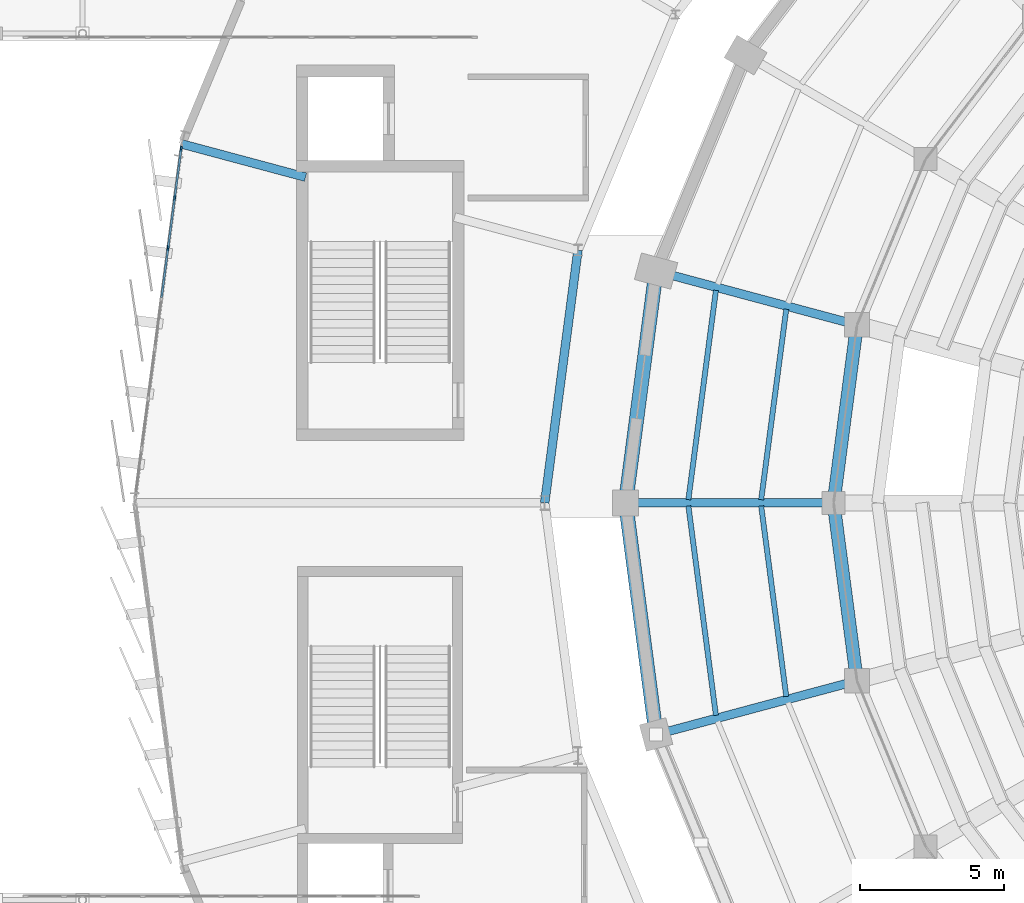
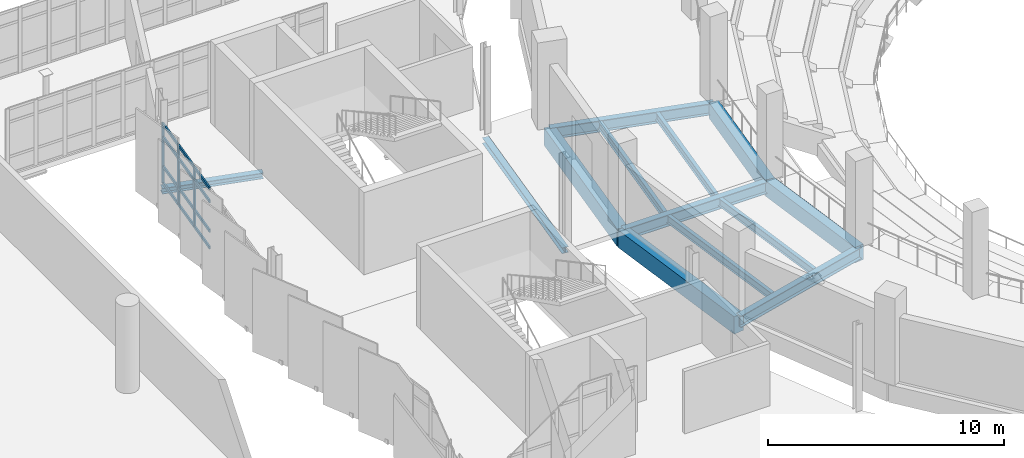
# One storey, part 47 of 134: 15 members, 13 beams, 1 element without a shape of its own.
"""IFC4 building model written with IfcOpenShell, lengths in metres."""

from ifc_helpers import new_model, si_unit, direction, frame, origin, origin_2d, place, context, subcontext, project, spatial, rectangle, i_section, extrude, material, layer, layer_set, material_profile, profile_set, type_object, element, aggregate, save


model = new_model("IFC4")

# Units and contexts
model_context = context("Model", 3, precision=1e-05, world=origin(), true_north=direction((0.0, 1.0)))
body_context = subcontext(model_context, "Body", "Model", "MODEL_VIEW")
ifc_project = project(units=[si_unit("LENGTHUNIT", "METRE"), si_unit("AREAUNIT", "SQUARE_METRE"), si_unit("VOLUMEUNIT", "CUBIC_METRE"), si_unit("PLANEANGLEUNIT", "RADIAN"), si_unit("MASSUNIT", "GRAM", prefix="KILO")], contexts=[model_context])

# Site, building, storey
site_placement = place(None, origin())
site = spatial("IfcSite", under=ifc_project, at=site_placement, CompositionType="ELEMENT")
building_placement = place(site_placement, origin())
building = spatial("IfcBuilding", under=site, at=building_placement, Name="Sohan Crest Arena", CompositionType="ELEMENT")
storey_placement = place(building_placement, frame((0.0, 0.0, 4.5)))
storey = spatial("IfcBuildingStorey", under=building, at=storey_placement, Name="L01", CompositionType="ELEMENT", Elevation=4.5)

# Curtain wall, members
ifc_material_1 = material(Name="Thermally broken anodised aluminium", Category="aluminium")
ifc_layer = layer(ifc_material_1, 0.2099609375, Name="Thermally broken anodised aluminium")
ifc_layer_set = layer_set([ifc_layer], Name="Thermally broken anodised aluminium")
curtain_wall_type = type_object("IfcCurtainWallType", Name="ARC-CW06", PredefinedType="NOTDEFINED", material=ifc_layer_set)
curtain_wall_placement = place(storey_placement, origin())
curtain_wall = element("IfcCurtainWall", 1, at=curtain_wall_placement, inside=storey, type_object=curtain_wall_type, Name="Unitised curtain wall CW-024", PredefinedType="NOTDEFINED")
ifc_material_profile_1 = material_profile(ifc_material_1, rectangle(XDim=0.06494140625, YDim=0.179931640625, at=origin_2d()), Name="ALU-MULL 65x180")
ifc_profile_set_1 = profile_set([ifc_material_profile_1], Name="Thermally broken anodised aluminium")
member_type_1 = type_object("IfcMemberType", Name="ARC-CW-ML02", PredefinedType="MULLION", material=ifc_profile_set_1)
member_1_placement = place(storey_placement, frame((51.61474609375, 90.26171875, 0.0), z_axis=(0.0, 0.0, 1.0), x_axis=(0.991440142438, -0.130562031094, 0.0)))
member_1 = element("IfcMember", 2, at=member_1_placement, type_object=member_type_1, Name="CW-024 mullion 1", PredefinedType="MULLION", context=body_context, shape_type="SweptSolid", body=[
    extrude(rectangle(XDim=0.06494140625, YDim=0.179931640625, at=origin_2d()), origin(), (0.0, 0.0, 1.0), 3.1201171875),
])
member_2_placement = place(storey_placement, frame((51.39013671875, 88.55615234375, 0.0), z_axis=(0.0, 0.0, 1.0), x_axis=(0.991440142438, -0.130562031094, 0.0)))
member_2 = element("IfcMember", 3, at=member_2_placement, type_object=member_type_1, Name="CW-024 mullion 2", PredefinedType="MULLION", context=body_context, shape_type="SweptSolid", body=[
    extrude(rectangle(XDim=0.06494140625, YDim=0.179931640625, at=origin_2d()), origin(), (0.0, 0.0, 1.0), 3.1201171875),
])
member_3_placement = place(storey_placement, frame((51.161376953125, 86.818359375, 0.0), z_axis=(0.0, 0.0, 1.0), x_axis=(0.991440142438, -0.130562031094, 0.0)))
member_3 = element("IfcMember", 4, at=member_3_placement, type_object=member_type_1, Name="CW-024 mullion 3", PredefinedType="MULLION", context=body_context, shape_type="SweptSolid", body=[
    extrude(rectangle(XDim=0.06494140625, YDim=0.179931640625, at=origin_2d()), origin(), (0.0, 0.0, 1.0), 3.1201171875),
])
ifc_material_profile_2 = material_profile(ifc_material_1, rectangle(XDim=0.070068359375, YDim=0.14990234375, at=origin_2d()), Name="ALU-TRAN 70x150")
ifc_profile_set_2 = profile_set([ifc_material_profile_2], Name="Thermally broken anodised aluminium")
member_type_2 = type_object("IfcMemberType", Name="ARC-CW-TR03", PredefinedType="USERDEFINED", material=ifc_profile_set_2)
member_4_placement = place(storey_placement, frame((51.610595703125, 90.2294921875, 0.034912109375), z_axis=(-0.130675793937, -0.991425154451, 0.0), x_axis=(0.991425154451, -0.130675793937, 0.0)))
member_4 = element("IfcMember", 5, at=member_4_placement, type_object=member_type_2, Name="CW-024 transom 1.1", ObjectType="TRANSOM", PredefinedType="USERDEFINED", context=body_context, shape_type="SweptSolid", body=[
    extrude(rectangle(XDim=0.070068359375, YDim=0.14990234375, at=origin_2d()), origin(), (0.0, 0.0, 1.0), 1.6552734375),
])
member_5_placement = place(storey_placement, frame((51.610595703125, 90.2294921875, 0.89990234375), z_axis=(-0.130675793937, -0.991425154451, 0.0), x_axis=(0.991425154451, -0.130675793937, 0.0)))
member_5 = element("IfcMember", 6, at=member_5_placement, type_object=member_type_2, Name="CW-024 transom 1.2", ObjectType="TRANSOM", PredefinedType="USERDEFINED", context=body_context, shape_type="SweptSolid", body=[
    extrude(rectangle(XDim=0.070068359375, YDim=0.14990234375, at=origin_2d()), origin(), (0.0, 0.0, 1.0), 1.6552734375),
])
member_6_placement = place(storey_placement, frame((51.610595703125, 90.2294921875, 2.419921875), z_axis=(-0.130675793937, -0.991425154451, 0.0), x_axis=(0.991425154451, -0.130675793937, 0.0)))
member_6 = element("IfcMember", 7, at=member_6_placement, type_object=member_type_2, Name="CW-024 transom 1.3", ObjectType="TRANSOM", PredefinedType="USERDEFINED", context=body_context, shape_type="SweptSolid", body=[
    extrude(rectangle(XDim=0.070068359375, YDim=0.14990234375, at=origin_2d()), origin(), (0.0, 0.0, 1.0), 1.6552734375),
])
member_7_placement = place(storey_placement, frame((51.610595703125, 90.2294921875, 3.0849609375), z_axis=(-0.130675793937, -0.991425154451, 0.0), x_axis=(0.991425154451, -0.130675793937, 0.0)))
member_7 = element("IfcMember", 8, at=member_7_placement, type_object=member_type_2, Name="CW-024 transom 1.4", ObjectType="TRANSOM", PredefinedType="USERDEFINED", context=body_context, shape_type="SweptSolid", body=[
    extrude(rectangle(XDim=0.070068359375, YDim=0.14990234375, at=origin_2d()), origin(), (0.0, 0.0, 1.0), 1.6552734375),
])
member_8_placement = place(storey_placement, frame((51.385986328125, 88.52392578125, 0.034912109375), z_axis=(-0.130619150099, -0.991432618803, 0.0), x_axis=(0.991432618803, -0.130619150099, 0.0)))
member_8 = element("IfcMember", 9, at=member_8_placement, type_object=member_type_2, Name="CW-024 transom 2.1", ObjectType="TRANSOM", PredefinedType="USERDEFINED", context=body_context, shape_type="SweptSolid", body=[
    extrude(rectangle(XDim=0.070068359375, YDim=0.14990234375, at=origin_2d()), origin(), (0.0, 0.0, 1.0), 1.687744140625),
])
member_9_placement = place(storey_placement, frame((51.385986328125, 88.52392578125, 0.89990234375), z_axis=(-0.130619150099, -0.991432618803, 0.0), x_axis=(0.991432618803, -0.130619150099, 0.0)))
member_9 = element("IfcMember", 10, at=member_9_placement, type_object=member_type_2, Name="CW-024 transom 2.2", ObjectType="TRANSOM", PredefinedType="USERDEFINED", context=body_context, shape_type="SweptSolid", body=[
    extrude(rectangle(XDim=0.070068359375, YDim=0.14990234375, at=origin_2d()), origin(), (0.0, 0.0, 1.0), 1.687744140625),
])
member_10_placement = place(storey_placement, frame((51.385986328125, 88.52392578125, 2.419921875), z_axis=(-0.130619150099, -0.991432618803, 0.0), x_axis=(0.991432618803, -0.130619150099, 0.0)))
member_10 = element("IfcMember", 11, at=member_10_placement, type_object=member_type_2, Name="CW-024 transom 2.3", ObjectType="TRANSOM", PredefinedType="USERDEFINED", context=body_context, shape_type="SweptSolid", body=[
    extrude(rectangle(XDim=0.070068359375, YDim=0.14990234375, at=origin_2d()), origin(), (0.0, 0.0, 1.0), 1.687744140625),
])
member_11_placement = place(storey_placement, frame((51.385986328125, 88.52392578125, 3.0849609375), z_axis=(-0.130619150099, -0.991432618803, 0.0), x_axis=(0.991432618803, -0.130619150099, 0.0)))
member_11 = element("IfcMember", 12, at=member_11_placement, type_object=member_type_2, Name="CW-024 transom 2.4", ObjectType="TRANSOM", PredefinedType="USERDEFINED", context=body_context, shape_type="SweptSolid", body=[
    extrude(rectangle(XDim=0.070068359375, YDim=0.14990234375, at=origin_2d()), origin(), (0.0, 0.0, 1.0), 1.687744140625),
])
member_12_placement = place(storey_placement, frame((51.156982421875, 86.7861328125, 0.034912109375), z_axis=(-0.130458253907, -0.991453803254, 0.0), x_axis=(0.991453803254, -0.130458253907, 0.0)))
member_12 = element("IfcMember", 13, at=member_12_placement, type_object=member_type_2, Name="CW-024 transom 3.1", ObjectType="TRANSOM", PredefinedType="USERDEFINED", context=body_context, shape_type="SweptSolid", body=[
    extrude(rectangle(XDim=0.070068359375, YDim=0.14990234375, at=origin_2d()), origin(), (0.0, 0.0, 1.0), 1.68798828125),
])
member_13_placement = place(storey_placement, frame((51.156982421875, 86.7861328125, 0.89990234375), z_axis=(-0.130458253907, -0.991453803254, 0.0), x_axis=(0.991453803254, -0.130458253907, 0.0)))
member_13 = element("IfcMember", 14, at=member_13_placement, type_object=member_type_2, Name="CW-024 transom 3.2", ObjectType="TRANSOM", PredefinedType="USERDEFINED", context=body_context, shape_type="SweptSolid", body=[
    extrude(rectangle(XDim=0.070068359375, YDim=0.14990234375, at=origin_2d()), origin(), (0.0, 0.0, 1.0), 1.68798828125),
])
member_14_placement = place(storey_placement, frame((51.156982421875, 86.7861328125, 2.419921875), z_axis=(-0.130458253907, -0.991453803254, 0.0), x_axis=(0.991453803254, -0.130458253907, 0.0)))
member_14 = element("IfcMember", 15, at=member_14_placement, type_object=member_type_2, Name="CW-024 transom 3.3", ObjectType="TRANSOM", PredefinedType="USERDEFINED", context=body_context, shape_type="SweptSolid", body=[
    extrude(rectangle(XDim=0.070068359375, YDim=0.14990234375, at=origin_2d()), origin(), (0.0, 0.0, 1.0), 1.68798828125),
])
member_15_placement = place(storey_placement, frame((51.156982421875, 86.7861328125, 3.0849609375), z_axis=(-0.130458253907, -0.991453803254, 0.0), x_axis=(0.991453803254, -0.130458253907, 0.0)))
member_15 = element("IfcMember", 16, at=member_15_placement, type_object=member_type_2, Name="CW-024 transom 3.4", ObjectType="TRANSOM", PredefinedType="USERDEFINED", context=body_context, shape_type="SweptSolid", body=[
    extrude(rectangle(XDim=0.070068359375, YDim=0.14990234375, at=origin_2d()), origin(), (0.0, 0.0, 1.0), 1.68798828125),
])
aggregate(curtain_wall, [member_1, member_2, member_3, member_4, member_5, member_6, member_7, member_8, member_9, member_10, member_11, member_12, member_13, member_14, member_15])

# Beams
ifc_material_2 = material(Name="Steel S355", Category="steel")
ifc_material_profile_3 = material_profile(ifc_material_2, i_section(OverallWidth=0.179931640625, OverallDepth=0.39990234375, WebThickness=0.008544921875, FlangeThickness=0.013427734375, at=origin_2d()), Name="IPE 400")
ifc_profile_set_3 = profile_set([ifc_material_profile_3], Name="Steel S355")
beam_type_1 = type_object("IfcBeamType", Name="STR-BM-B03", PredefinedType="JOIST", material=ifc_profile_set_3)
beam_1_placement = place(storey_placement, frame((72.56298828125, 84.702880859375, -0.449951171875), z_axis=(-0.130641570465, -0.99142966471, 0.0), x_axis=(0.99142966471, -0.130641570465, 0.0)))
element("IfcBeam", 17, at=beam_1_placement, inside=storey, type_object=beam_type_1, Name="Structural beam J-L01-0177", PredefinedType="JOIST", context=body_context, shape_type="SweptSolid", body=[
    extrude(i_section(OverallWidth=0.179931640625, OverallDepth=0.39990234375, WebThickness=0.008544921875, FlangeThickness=0.013427734375, at=origin_2d()), origin(), (0.0, 0.0, 1.0), 6.65087890625),
])
beam_2_placement = place(storey_placement, frame((70.1279296875, 85.35498046875, -0.449951171875), z_axis=(-0.13051154339, -0.991446789819, 0.0), x_axis=(0.991446789819, -0.13051154339, 0.0)))
element("IfcBeam", 18, at=beam_2_placement, inside=storey, type_object=beam_type_1, Name="Structural beam J-L01-0178", PredefinedType="JOIST", context=body_context, shape_type="SweptSolid", body=[
    extrude(i_section(OverallWidth=0.179931640625, OverallDepth=0.39990234375, WebThickness=0.008544921875, FlangeThickness=0.013427734375, at=origin_2d()), origin(), (0.0, 0.0, 1.0), 7.30859375),
])
beam_3_placement = place(storey_placement, frame((71.694091796875, 77.89111328125, -0.449951171875), z_axis=(0.130641570465, -0.99142966471, 0.0), x_axis=(0.99142966471, 0.130641570465, 0.0)))
element("IfcBeam", 19, at=beam_3_placement, inside=storey, type_object=beam_type_1, Name="Structural beam J-L01-0199", PredefinedType="JOIST", context=body_context, shape_type="SweptSolid", body=[
    extrude(i_section(OverallWidth=0.179931640625, OverallDepth=0.39990234375, WebThickness=0.008544921875, FlangeThickness=0.013427734375, at=origin_2d()), origin(), (0.0, 0.0, 1.0), 6.65087890625),
])
beam_4_placement = place(storey_placement, frame((69.174072265625, 77.89111328125, -0.449951171875), z_axis=(0.13051154339, -0.991446789819, 0.0), x_axis=(0.991446789819, 0.13051154339, 0.0)))
element("IfcBeam", 20, at=beam_4_placement, inside=storey, type_object=beam_type_1, Name="Structural beam J-L01-0200", PredefinedType="JOIST", context=body_context, shape_type="SweptSolid", body=[
    extrude(i_section(OverallWidth=0.179931640625, OverallDepth=0.39990234375, WebThickness=0.008544921875, FlangeThickness=0.013427734375, at=origin_2d()), origin(), (0.0, 0.0, 1.0), 7.30859375),
])
ifc_material_profile_4 = material_profile(ifc_material_2, i_section(OverallWidth=0.300048828125, OverallDepth=0.590087890625, WebThickness=0.012939453125, FlangeThickness=0.02490234375, at=origin_2d()), Name="HEA 600")
ifc_profile_set_4 = profile_set([ifc_material_profile_4], Name="Steel S355")
beam_type_2 = type_object("IfcBeamType", Name="STR-BM-B11", PredefinedType="BEAM", material=ifc_profile_set_4)
beam_5_placement = place(storey_placement, frame((75.010986328125, 84.159912109375, -0.544921875), z_axis=(-0.965945630245, 0.258745124417, 0.0), x_axis=(-0.258745124417, -0.965945630245, 0.0)))
element("IfcBeam", 21, at=beam_5_placement, inside=storey, type_object=beam_type_2, Name="Structural beam G-L01-0176", PredefinedType="BEAM", context=body_context, shape_type="SweptSolid", body=[
    extrude(i_section(OverallWidth=0.300048828125, OverallDepth=0.590087890625, WebThickness=0.012939453125, FlangeThickness=0.02490234375, at=origin_2d()), origin(), (0.0, 0.0, 1.0), 7.2001953125),
])
beam_6_placement = place(storey_placement, frame((74.199951171875, 78.0, -0.544921875), z_axis=(-1.0, 0.0, 0.0), x_axis=(0.0, -1.0, 0.0)))
element("IfcBeam", 22, at=beam_6_placement, inside=storey, type_object=beam_type_2, Name="Structural beam G-L01-0198", PredefinedType="BEAM", context=body_context, shape_type="SweptSolid", body=[
    extrude(i_section(OverallWidth=0.300048828125, OverallDepth=0.590087890625, WebThickness=0.012939453125, FlangeThickness=0.02490234375, at=origin_2d()), origin(), (0.0, 0.0, 1.0), 7.199951171875),
])
beam_7_placement = place(storey_placement, frame((75.010986328125, 71.840087890625, -0.544921875), z_axis=(-0.965945630245, -0.258745124417, 0.0), x_axis=(0.258745124417, -0.965945630245, 0.0)))
element("IfcBeam", 23, at=beam_7_placement, inside=storey, type_object=beam_type_2, Name="Structural beam G-L01-0220", PredefinedType="BEAM", context=body_context, shape_type="SweptSolid", body=[
    extrude(i_section(OverallWidth=0.300048828125, OverallDepth=0.590087890625, WebThickness=0.012939453125, FlangeThickness=0.02490234375, at=origin_2d()), origin(), (0.0, 0.0, 1.0), 7.2001953125),
])
ifc_material_profile_5 = material_profile(ifc_material_2, i_section(OverallWidth=0.300048828125, OverallDepth=0.300048828125, WebThickness=0.010986328125, FlangeThickness=0.01904296875, at=origin_2d()), Name="HEB 300")
ifc_profile_set_5 = profile_set([ifc_material_profile_5], Name="Steel S355")
beam_type_3 = type_object("IfcBeamType", Name="STR-BM-B12", PredefinedType="BEAM", material=ifc_profile_set_5)
beam_8_placement = place(storey_placement, frame((55.919921875, 89.27490234375, -0.425048828125), z_axis=(-0.965907995401, 0.258885581716, 0.0), x_axis=(-0.258885581716, -0.965907995401, 0.0)))
element("IfcBeam", 24, at=beam_8_placement, inside=storey, type_object=beam_type_3, Name="Structural beam G-L01-1112", PredefinedType="BEAM", context=body_context, shape_type="SweptSolid", body=[
    extrude(i_section(OverallWidth=0.300048828125, OverallDepth=0.300048828125, WebThickness=0.010986328125, FlangeThickness=0.01904296875, at=origin_2d()), origin(), (0.0, 0.0, 1.0), 4.43505859375),
])
beam_9_placement = place(storey_placement, frame((65.35205078125, 86.748046875, -0.425048828125), z_axis=(-0.130570461953, -0.991439032147, 0.0), x_axis=(0.991439032147, -0.130570461953, 0.0)))
element("IfcBeam", 25, at=beam_9_placement, inside=storey, type_object=beam_type_3, Name="Structural beam G-L01-1113", PredefinedType="BEAM", context=body_context, shape_type="SweptSolid", body=[
    extrude(i_section(OverallWidth=0.300048828125, OverallDepth=0.300048828125, WebThickness=0.010986328125, FlangeThickness=0.01904296875, at=origin_2d()), origin(), (0.0, 0.0, 1.0), 8.823486328125),
])
ifc_material_3 = material(Name="Concrete C40/50", Category="concrete")
ifc_material_profile_6 = material_profile(ifc_material_3, rectangle(XDim=0.449951171875, YDim=0.800048828125, at=origin_2d()), Name="RC-BM 450x800")
ifc_profile_set_6 = profile_set([ifc_material_profile_6], Name="Concrete C40/50")
beam_type_4 = type_object("IfcBeamType", Name="STR-BM-TB02", PredefinedType="BEAM", material=ifc_profile_set_6)
for number, where, z_axis, x_axis, name in (
    (26, (75.010986328125, 84.159912109375, -0.64990234375), (-0.130536846329, -0.991443458676, 0.0), (0.991443458676, -0.130536846329, 0.0), "Structural beam TB-L01-0174"),
    (27, (74.199951171875, 78.0, -0.64990234375), (0.130536846329, -0.991443458676, 0.0), (0.991443458676, 0.130536846329, 0.0), "Structural beam TB-L01-0196"),
):
    element("IfcBeam", number, at=place(storey_placement, frame(where, z_axis=z_axis, x_axis=x_axis)), inside=storey, type_object=beam_type_4, Name=name, PredefinedType="BEAM", context=body_context, shape_type="SweptSolid", body=[
        extrude(rectangle(XDim=0.449951171875, YDim=0.800048828125, at=origin_2d()), origin(), (0.0, 0.0, 1.0), 6.213134765625),
    ])
ifc_material_profile_7 = material_profile(ifc_material_3, rectangle(XDim=0.5, YDim=0.89990234375, at=origin_2d()), Name="RC-BM 500x900")
ifc_profile_set_7 = profile_set([ifc_material_profile_7], Name="Concrete C40/50")
beam_type_5 = type_object("IfcBeamType", Name="STR-BM-TB03", PredefinedType="BEAM", material=ifc_profile_set_7)
for number, where, z_axis, x_axis, name in (
    (28, (68.055908203125, 86.02294921875, -0.699951171875), (-0.130485730048, -0.99145018748, 0.0), (0.99145018748, -0.130485730048, 0.0), "Structural beam TB-L01-0175"),
    (29, (67.0, 78.0, -0.699951171875), (0.130485730048, -0.99145018748, 0.0), (0.99145018748, 0.130485730048, 0.0), "Structural beam TB-L01-0197"),
):
    element("IfcBeam", number, at=place(storey_placement, frame(where, z_axis=z_axis, x_axis=x_axis)), inside=storey, type_object=beam_type_5, Name=name, PredefinedType="BEAM", context=body_context, shape_type="SweptSolid", body=[
        extrude(rectangle(XDim=0.5, YDim=0.89990234375, at=origin_2d()), origin(), (0.0, 0.0, 1.0), 8.092041015625),
    ])

save(model, "model.ifc")
